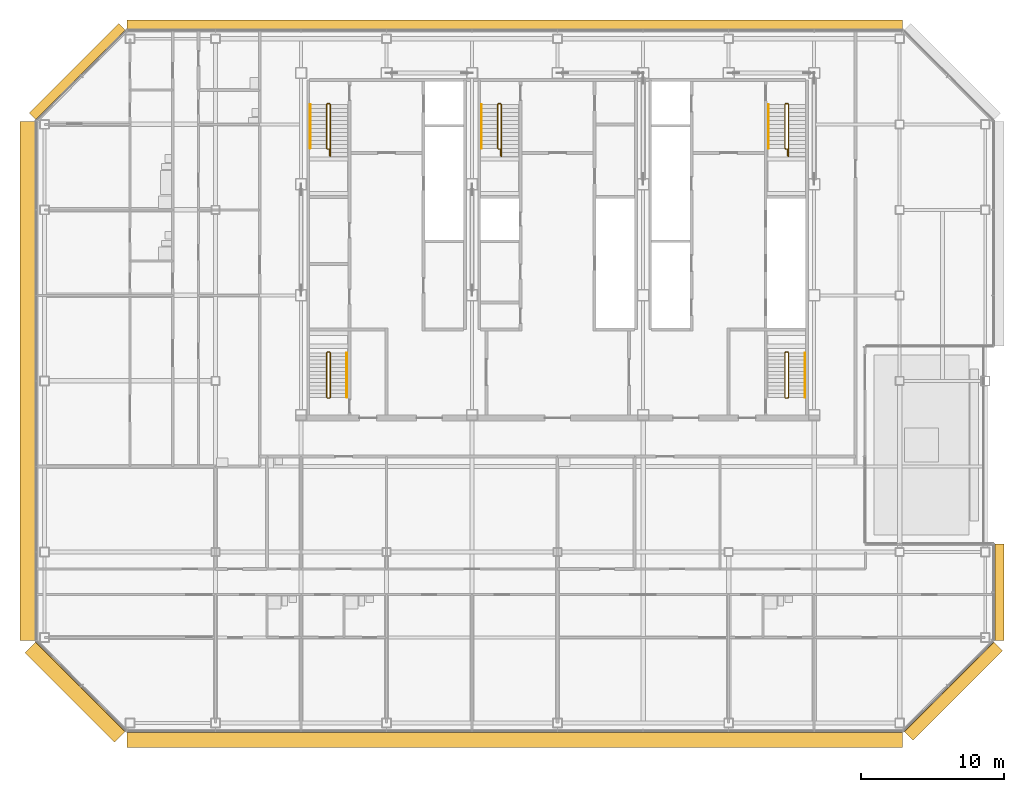
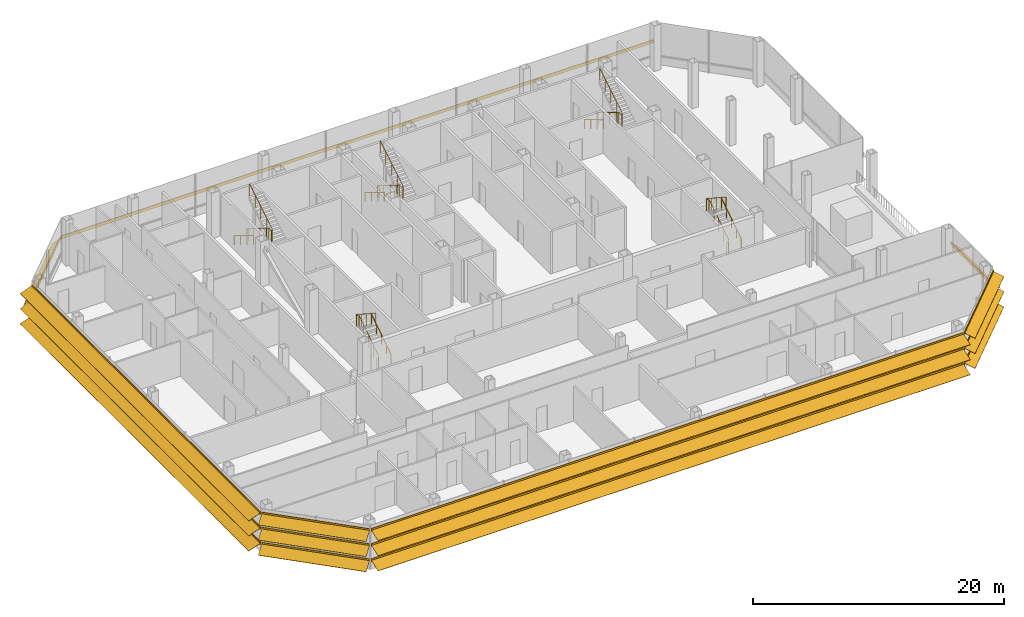
# One storey, part 27 of 30: 10 railings, 7 shading devices.
"""IFC4 building model written with IfcOpenShell, lengths in metres."""

from ifc_helpers import new_model, si_unit, direction, frame, origin, origin_2d, place, context, subcontext, project, spatial, polyline, circle, outline, composite_profile, extrude, material, type_object, element, save


model = new_model("IFC4")

# Units and contexts
model_context = context("Model", 3, precision=1e-05, world=origin(), true_north=direction((0.0, 1.0)))
body_context = subcontext(model_context, "Body", "Model", "MODEL_VIEW")
ifc_project = project(units=[si_unit("LENGTHUNIT", "METRE"), si_unit("AREAUNIT", "SQUARE_METRE"), si_unit("VOLUMEUNIT", "CUBIC_METRE"), si_unit("PLANEANGLEUNIT", "RADIAN"), si_unit("MASSUNIT", "GRAM", prefix="KILO")], contexts=[model_context])

# Site, building, storey
site_placement = place(None, origin())
site = spatial("IfcSite", under=ifc_project, at=site_placement, CompositionType="ELEMENT")
building_placement = place(site_placement, origin())
building = spatial("IfcBuilding", under=site, at=building_placement, Name="Sorahane Residences", CompositionType="ELEMENT")
storey_placement = place(building_placement, frame((0.0, 0.0, 229.800048828125)))
storey = spatial("IfcBuildingStorey", under=building, at=storey_placement, Name="L54", CompositionType="ELEMENT", Elevation=229.800048828125)

# Shading devices
ifc_material_1 = material(Name="Terracotta anodised aluminium", Category="masonry")
shading_device_type_1 = type_object("IfcShadingDeviceType", Name="Louvre sunshade blade E terracotta aluminium 700", PredefinedType="JALOUSIE", material=ifc_material_1)
shading_device_1_placement = place(storey_placement, frame((54.60009765625, 5.801513671875, 2.199951171875), z_axis=(0.0, 1.0, 0.0), x_axis=(-1.0, 0.0, 0.0)))
element("IfcShadingDevice", 1, at=shading_device_1_placement, inside=storey, type_object=shading_device_type_1, Name="Louvre sunshade blade bank E L54 E1", PredefinedType="JALOUSIE", context=body_context, shape_type="SweptSolid", body=[
    extrude(outline(polyline([(-0.719970703125, -0.49365234375), (-0.719970703125, -0.523681640625), (-0.080078125, -0.05859375), (-0.080078125, -0.14990234375), (-0.02001953125, -0.14990234375), (-0.02001953125, -0.014892578125), (-0.02001953125, 0.014892578125), (-0.02001953125, 0.14990234375), (-0.080078125, 0.14990234375), (-0.080078125, -0.028564453125), (-0.719970703125, -0.49365234375)])), origin(), (0.0, 0.0, 1.0), 6.74853515625),
])
ifc_material_2 = material(Name="Terracotta anodised aluminium", Category="masonry")
shading_device_type_2 = type_object("IfcShadingDeviceType", Name="Louvre sunshade blade N terracotta aluminium 700", PredefinedType="JALOUSIE", material=ifc_material_2)
shading_device_2_placement = place(storey_placement, frame((48.198486328125, 48.60009765625, 2.199951171875), z_axis=(-1.0, 0.0, 0.0), x_axis=(0.0, -1.0, 0.0)))
element("IfcShadingDevice", 2, at=shading_device_2_placement, inside=storey, type_object=shading_device_type_2, Name="Louvre sunshade blade bank N L54 N2", PredefinedType="JALOUSIE", context=body_context, shape_type="SweptSolid", body=[
    extrude(outline(polyline([(-0.719970703125, -0.660888671875), (-0.719970703125, -0.69091796875), (-0.080078125, -0.072998046875), (-0.080078125, -0.14990234375), (-0.02001953125, -0.14990234375), (-0.02001953125, -0.014892578125), (-0.02001953125, 0.014892578125), (-0.02001953125, 0.14990234375), (-0.080078125, 0.14990234375), (-0.080078125, -0.04296875), (-0.719970703125, -0.660888671875)])), origin(), (0.0, 0.0, 1.0), 54.39697265625),
])
ifc_material_3 = material(Name="Terracotta anodised aluminium", Category="masonry")
shading_device_type_3 = type_object("IfcShadingDeviceType", Name="Louvre sunshade blade NW terracotta aluminium 700", PredefinedType="JALOUSIE", material=ifc_material_3)
shading_device_3_placement = place(storey_placement, frame((-6.283935546875, 48.564697265625, 2.199951171875), z_axis=(-0.707106781187, -0.707106781187, 0.0), x_axis=(0.707106781187, -0.707106781187, 0.0)))
element("IfcShadingDevice", 3, at=shading_device_3_placement, inside=storey, type_object=shading_device_type_3, Name="Louvre sunshade blade bank NW L54 NW1", PredefinedType="JALOUSIE", context=body_context, shape_type="SweptSolid", body=[
    extrude(outline(polyline([(-0.719970703125, -0.660888671875), (-0.719970703125, -0.69091796875), (-0.080078125, -0.072998046875), (-0.080078125, -0.14990234375), (-0.02001953125, -0.14990234375), (-0.02001953125, -0.014892578125), (-0.02001953125, 0.014892578125), (-0.02001953125, 0.14990234375), (-0.080078125, 0.14990234375), (-0.080078125, -0.04296875), (-0.719970703125, -0.660888671875)])), origin(), (0.0, 0.0, 1.0), 8.88232421875),
])
ifc_material_4 = material(Name="Terracotta anodised aluminium", Category="masonry")
shading_device_type_4 = type_object("IfcShadingDeviceType", Name="Louvre sunshade blade S terracotta aluminium 1100", PredefinedType="JALOUSIE", material=ifc_material_4)
shading_device_4_placement = place(storey_placement, frame((-6.198486328125, -0.60009765625, 0.7333984375), z_axis=(1.0, 0.0, 0.0), x_axis=(0.0, 1.0, 0.0)))
element("IfcShadingDevice", 4, at=shading_device_4_placement, inside=storey, type_object=shading_device_type_4, Name="Louvre sunshade blade bank S L54 S2", PredefinedType="JALOUSIE", context=body_context, shape_type="SweptSolid", body=[
    extrude(composite_profile([outline(polyline([(-1.1201171875, -0.385498046875), (-1.1201171875, -0.415283203125), (-0.080078125, -0.036865234375), (-0.080078125, -0.14990234375), (-0.02001953125, -0.14990234375), (-0.02001953125, -0.014892578125), (-0.02001953125, 0.014892578125), (-0.02001953125, 0.14990234375), (-0.080078125, 0.14990234375), (-0.080078125, -0.0068359375), (-1.1201171875, -0.385498046875)])), outline(polyline([(-1.1201171875, 1.081298828125), (-1.1201171875, 1.05126953125), (-0.080078125, 1.429931640625), (-0.080078125, 1.316650390625), (-0.02001953125, 1.316650390625), (-0.02001953125, 1.45166015625), (-0.02001953125, 1.481689453125), (-0.02001953125, 1.61669921875), (-0.080078125, 1.61669921875), (-0.080078125, 1.4599609375), (-1.1201171875, 1.081298828125)])), outline(polyline([(-1.1201171875, 2.5478515625), (-1.1201171875, 2.517822265625), (-0.080078125, 2.896484375), (-0.080078125, 2.783203125), (-0.02001953125, 2.783203125), (-0.02001953125, 2.918212890625), (-0.02001953125, 2.9482421875), (-0.02001953125, 3.083251953125), (-0.080078125, 3.083251953125), (-0.080078125, 2.926513671875), (-1.1201171875, 2.5478515625)]))]), origin(), (0.0, 0.0, 1.0), 54.39697265625),
])
ifc_material_5 = material(Name="Terracotta anodised aluminium", Category="masonry")
shading_device_type_5 = type_object("IfcShadingDeviceType", Name="Louvre sunshade blade SE terracotta aluminium 900", PredefinedType="JALOUSIE", material=ifc_material_5)
shading_device_5_placement = place(storey_placement, frame((48.283935546875, -0.564697265625, 0.7333984375), z_axis=(0.707106781187, 0.707106781187, 0.0), x_axis=(-0.707106781187, 0.707106781187, 0.0)))
element("IfcShadingDevice", 5, at=shading_device_5_placement, inside=storey, type_object=shading_device_type_5, Name="Louvre sunshade blade bank SE L54 SE1", PredefinedType="JALOUSIE", context=body_context, shape_type="SweptSolid", body=[
    extrude(composite_profile([outline(polyline([(-0.919921875, -0.3486328125), (-0.919921875, -0.378662109375), (-0.080078125, -0.039306640625), (-0.080078125, -0.14990234375), (-0.02001953125, -0.14990234375), (-0.02001953125, -0.014892578125), (-0.02001953125, 0.014892578125), (-0.02001953125, 0.14990234375), (-0.080078125, 0.14990234375), (-0.080078125, -0.00927734375), (-0.919921875, -0.3486328125)])), outline(polyline([(-0.919921875, 1.1181640625), (-0.919921875, 1.088134765625), (-0.080078125, 1.427490234375), (-0.080078125, 1.316650390625), (-0.02001953125, 1.316650390625), (-0.02001953125, 1.45166015625), (-0.02001953125, 1.481689453125), (-0.02001953125, 1.61669921875), (-0.080078125, 1.61669921875), (-0.080078125, 1.45751953125), (-0.919921875, 1.1181640625)])), outline(polyline([(-0.919921875, 2.584716796875), (-0.919921875, 2.5546875), (-0.080078125, 2.89404296875), (-0.080078125, 2.783203125), (-0.02001953125, 2.783203125), (-0.02001953125, 2.918212890625), (-0.02001953125, 2.9482421875), (-0.02001953125, 3.083251953125), (-0.080078125, 3.083251953125), (-0.080078125, 2.924072265625), (-0.919921875, 2.584716796875)]))]), origin(), (0.0, 0.0, 1.0), 8.88232421875),
])
ifc_material_6 = material(Name="Terracotta anodised aluminium", Category="masonry")
shading_device_type_6 = type_object("IfcShadingDeviceType", Name="Louvre sunshade blade SW terracotta aluminium 1100", PredefinedType="JALOUSIE", material=ifc_material_6)
shading_device_6_placement = place(storey_placement, frame((-12.564697265625, 5.716064453125, 0.7333984375), z_axis=(0.707106781187, -0.707106781187, 0.0), x_axis=(0.707106781187, 0.707106781187, 0.0)))
element("IfcShadingDevice", 6, at=shading_device_6_placement, inside=storey, type_object=shading_device_type_6, Name="Louvre sunshade blade bank SW L54 SW1", PredefinedType="JALOUSIE", context=body_context, shape_type="SweptSolid", body=[
    extrude(composite_profile([outline(polyline([(-1.1201171875, -0.385498046875), (-1.1201171875, -0.415283203125), (-0.080078125, -0.036865234375), (-0.080078125, -0.14990234375), (-0.02001953125, -0.14990234375), (-0.02001953125, -0.014892578125), (-0.02001953125, 0.014892578125), (-0.02001953125, 0.14990234375), (-0.080078125, 0.14990234375), (-0.080078125, -0.0068359375), (-1.1201171875, -0.385498046875)])), outline(polyline([(-1.1201171875, 1.081298828125), (-1.1201171875, 1.05126953125), (-0.080078125, 1.429931640625), (-0.080078125, 1.316650390625), (-0.02001953125, 1.316650390625), (-0.02001953125, 1.45166015625), (-0.02001953125, 1.481689453125), (-0.02001953125, 1.61669921875), (-0.080078125, 1.61669921875), (-0.080078125, 1.4599609375), (-1.1201171875, 1.081298828125)])), outline(polyline([(-1.1201171875, 2.5478515625), (-1.1201171875, 2.517822265625), (-0.080078125, 2.896484375), (-0.080078125, 2.783203125), (-0.02001953125, 2.783203125), (-0.02001953125, 2.918212890625), (-0.02001953125, 2.9482421875), (-0.02001953125, 3.083251953125), (-0.080078125, 3.083251953125), (-0.080078125, 2.926513671875), (-1.1201171875, 2.5478515625)]))]), origin(), (0.0, 0.0, 1.0), 8.88232421875),
])
ifc_material_7 = material(Name="Terracotta anodised aluminium", Category="masonry")
shading_device_type_7 = type_object("IfcShadingDeviceType", Name="Louvre sunshade blade W terracotta aluminium 1100", PredefinedType="JALOUSIE", material=ifc_material_7)
shading_device_7_placement = place(storey_placement, frame((-12.60009765625, 42.198486328125, 0.7333984375), z_axis=(0.0, -1.0, 0.0), x_axis=(1.0, 0.0, 0.0)))
element("IfcShadingDevice", 7, at=shading_device_7_placement, inside=storey, type_object=shading_device_type_7, Name="Louvre sunshade blade bank W L54 W1", PredefinedType="JALOUSIE", context=body_context, shape_type="SweptSolid", body=[
    extrude(composite_profile([outline(polyline([(-1.1201171875, -0.385498046875), (-1.1201171875, -0.415283203125), (-0.080078125, -0.036865234375), (-0.080078125, -0.14990234375), (-0.02001953125, -0.14990234375), (-0.02001953125, -0.014892578125), (-0.02001953125, 0.014892578125), (-0.02001953125, 0.14990234375), (-0.080078125, 0.14990234375), (-0.080078125, -0.0068359375), (-1.1201171875, -0.385498046875)])), outline(polyline([(-1.1201171875, 1.081298828125), (-1.1201171875, 1.05126953125), (-0.080078125, 1.429931640625), (-0.080078125, 1.316650390625), (-0.02001953125, 1.316650390625), (-0.02001953125, 1.45166015625), (-0.02001953125, 1.481689453125), (-0.02001953125, 1.61669921875), (-0.080078125, 1.61669921875), (-0.080078125, 1.4599609375), (-1.1201171875, 1.081298828125)])), outline(polyline([(-1.1201171875, 2.5478515625), (-1.1201171875, 2.517822265625), (-0.080078125, 2.896484375), (-0.080078125, 2.783203125), (-0.02001953125, 2.783203125), (-0.02001953125, 2.918212890625), (-0.02001953125, 2.9482421875), (-0.02001953125, 3.083251953125), (-0.080078125, 3.083251953125), (-0.080078125, 2.926513671875), (-1.1201171875, 2.5478515625)]))]), origin(), (0.0, 0.0, 1.0), 36.39697265625),
])

# Railings
ifc_material_8 = material(Name="Steel Q355B", Category="steel")
railing_type_1 = type_object("IfcRailingType", Name="Stair guard 1200 Steel Q355B", PredefinedType="GUARDRAIL", material=ifc_material_8)
railing_1_placement = place(storey_placement, frame((8.0, 43.449951171875, 0.0)))
element("IfcRailing", 8, at=railing_1_placement, inside=storey, type_object=railing_type_1, Name="L54 S1 stair guard 1", PredefinedType="GUARDRAIL", context=body_context, shape_type="SweptSolid", body=[
    extrude(circle(Radius=0.02392578125, at=origin_2d()), frame((0.0, 0.0, 1.17578125), z_axis=(-1.0, 0.0, 0.0), x_axis=(0.0, -1.0, 0.0)), (0.0, 0.0, 1.0), 0.14990234375),
    extrude(circle(Radius=0.02392578125, at=origin_2d()), frame((-0.14990234375, 0.0, 1.17578125), z_axis=(-0.272897288611, -0.272897288611, 0.922525956132), x_axis=(0.707106781187, -0.707106781187, 0.0)), (0.0, 0.0, 1.0), 0.183349609375),
    extrude(circle(Radius=0.02392578125, at=origin_2d()), frame((-0.199951171875, -0.050048828125, 1.34521484375), z_axis=(0.0, -0.855812307579, 0.51728647208), x_axis=(1.0, 0.0, 0.0)), (0.0, 0.0, 1.0), 3.5986328125),
    extrude(circle(Radius=0.02392578125, at=origin_2d()), frame((-0.199951171875, -3.1298828125, 3.20654296875), z_axis=(0.707106781187, -0.707106781187, 0.0), x_axis=(0.707106781187, 0.707106781187, 0.0)), (0.0, 0.0, 1.0), 0.07080078125),
    extrude(circle(Radius=0.02392578125, at=origin_2d()), frame((-0.14990234375, -3.179931640625, 3.20654296875), z_axis=(1.0, 0.0, 0.0), x_axis=(0.0, 1.0, 0.0)), (0.0, 0.0, 1.0), 0.14990234375),
    extrude(circle(Radius=0.02392578125, at=origin_2d()), frame((0.0, -3.179931640625, 3.20654296875), z_axis=(0.0, -1.0, 0.0), x_axis=(1.0, 0.0, 0.0)), (0.0, 0.0, 1.0), 0.4599609375),
    extrude(circle(Radius=0.02392578125, at=origin_2d()), frame((0.0, -3.639892578125, 3.20654296875), z_axis=(0.272897288611, -0.272897288611, 0.922525956132), x_axis=(0.707106781187, 0.707106781187, 0.0)), (0.0, 0.0, 1.0), 0.183349609375),
    extrude(circle(Radius=0.02392578125, at=origin_2d()), frame((0.050048828125, -3.68994140625, 3.3759765625), z_axis=(0.0, 0.855827133697, 0.517261942568), x_axis=(-1.0, 0.0, 0.0)), (0.0, 0.0, 1.0), 4.253173828125),
    extrude(circle(Radius=0.02099609375, at=origin_2d()), origin(), (0.0, 0.0, 1.0), 1.15185546875),
    extrude(circle(Radius=0.02099609375, at=origin_2d()), frame((-0.14990234375, 0.0, 0.0)), (0.0, 0.0, 1.0), 1.15185546875),
    extrude(circle(Radius=0.02099609375, at=origin_2d()), frame((-0.199951171875, -0.050048828125, 0.169189453125)), (0.0, 0.0, 1.0), 1.15185546875),
    extrude(circle(Radius=0.02099609375, at=origin_2d()), frame((-0.199951171875, -1.07666015625, 0.789794921875)), (0.0, 0.0, 1.0), 1.15185546875),
    extrude(circle(Radius=0.02099609375, at=origin_2d()), frame((-0.199951171875, -2.103271484375, 1.41015625)), (0.0, 0.0, 1.0), 1.15185546875),
    extrude(circle(Radius=0.02099609375, at=origin_2d()), frame((-0.199951171875, -3.1298828125, 2.03076171875)), (0.0, 0.0, 1.0), 1.15185546875),
    extrude(circle(Radius=0.02099609375, at=origin_2d()), frame((-0.14990234375, -3.179931640625, 2.03076171875)), (0.0, 0.0, 1.0), 1.15185546875),
    extrude(circle(Radius=0.02099609375, at=origin_2d()), frame((0.0, -3.179931640625, 2.03076171875)), (0.0, 0.0, 1.0), 1.15185546875),
    extrude(circle(Radius=0.02099609375, at=origin_2d()), frame((0.0, -3.639892578125, 2.03076171875)), (0.0, 0.0, 1.0), 1.15185546875),
    extrude(circle(Radius=0.02099609375, at=origin_2d()), frame((0.050048828125, -3.68994140625, 2.199951171875)), (0.0, 0.0, 1.0), 1.15185546875),
    extrude(circle(Radius=0.02099609375, at=origin_2d()), frame((0.050048828125, -2.780029296875, 2.75)), (0.0, 0.0, 1.0), 1.15185546875),
    extrude(circle(Radius=0.02099609375, at=origin_2d()), frame((0.050048828125, -1.8701171875, 3.2998046875)), (0.0, 0.0, 1.0), 1.15185546875),
    extrude(circle(Radius=0.02099609375, at=origin_2d()), frame((0.050048828125, -0.9599609375, 3.849853515625)), (0.0, 0.0, 1.0), 1.15185546875),
    extrude(circle(Radius=0.02099609375, at=origin_2d()), frame((0.050048828125, -0.050048828125, 4.39990234375)), (0.0, 0.0, 1.0), 1.15185546875),
])
railing_2_placement = place(storey_placement, frame((40.14990234375, 43.449951171875, 0.0)))
element("IfcRailing", 9, at=railing_2_placement, inside=storey, type_object=railing_type_1, Name="L54 S2 stair guard 1", PredefinedType="GUARDRAIL", context=body_context, shape_type="SweptSolid", body=[
    extrude(circle(Radius=0.02392578125, at=origin_2d()), frame((0.0, 0.0, 1.17578125), z_axis=(-1.0, 0.0, 0.0), x_axis=(0.0, -1.0, 0.0)), (0.0, 0.0, 1.0), 0.14990234375),
    extrude(circle(Radius=0.02392578125, at=origin_2d()), frame((-0.14990234375, 0.0, 1.17578125), z_axis=(-0.272897288611, -0.272897288611, 0.922525956132), x_axis=(0.707106781187, -0.707106781187, 0.0)), (0.0, 0.0, 1.0), 0.183349609375),
    extrude(circle(Radius=0.02392578125, at=origin_2d()), frame((-0.199951171875, -0.050048828125, 1.34521484375), z_axis=(0.0, -0.855812307579, 0.51728647208), x_axis=(1.0, 0.0, 0.0)), (0.0, 0.0, 1.0), 3.5986328125),
    extrude(circle(Radius=0.02392578125, at=origin_2d()), frame((-0.199951171875, -3.1298828125, 3.20654296875), z_axis=(0.707106781187, -0.707106781187, 0.0), x_axis=(0.707106781187, 0.707106781187, 0.0)), (0.0, 0.0, 1.0), 0.07080078125),
    extrude(circle(Radius=0.02392578125, at=origin_2d()), frame((-0.14990234375, -3.179931640625, 3.20654296875), z_axis=(1.0, 0.0, 0.0), x_axis=(0.0, 1.0, 0.0)), (0.0, 0.0, 1.0), 0.14990234375),
    extrude(circle(Radius=0.02392578125, at=origin_2d()), frame((0.0, -3.179931640625, 3.20654296875), z_axis=(0.0, -1.0, 0.0), x_axis=(1.0, 0.0, 0.0)), (0.0, 0.0, 1.0), 0.4599609375),
    extrude(circle(Radius=0.02392578125, at=origin_2d()), frame((0.0, -3.639892578125, 3.20654296875), z_axis=(0.272897288611, -0.272897288611, 0.922525956132), x_axis=(0.707106781187, 0.707106781187, 0.0)), (0.0, 0.0, 1.0), 0.183349609375),
    extrude(circle(Radius=0.02392578125, at=origin_2d()), frame((0.050048828125, -3.68994140625, 3.3759765625), z_axis=(0.0, 0.855827133697, 0.517261942568), x_axis=(-1.0, 0.0, 0.0)), (0.0, 0.0, 1.0), 4.253173828125),
    extrude(circle(Radius=0.02099609375, at=origin_2d()), origin(), (0.0, 0.0, 1.0), 1.15185546875),
    extrude(circle(Radius=0.02099609375, at=origin_2d()), frame((-0.14990234375, 0.0, 0.0)), (0.0, 0.0, 1.0), 1.15185546875),
    extrude(circle(Radius=0.02099609375, at=origin_2d()), frame((-0.199951171875, -0.050048828125, 0.169189453125)), (0.0, 0.0, 1.0), 1.15185546875),
    extrude(circle(Radius=0.02099609375, at=origin_2d()), frame((-0.199951171875, -1.07666015625, 0.789794921875)), (0.0, 0.0, 1.0), 1.15185546875),
    extrude(circle(Radius=0.02099609375, at=origin_2d()), frame((-0.199951171875, -2.103271484375, 1.41015625)), (0.0, 0.0, 1.0), 1.15185546875),
    extrude(circle(Radius=0.02099609375, at=origin_2d()), frame((-0.199951171875, -3.1298828125, 2.03076171875)), (0.0, 0.0, 1.0), 1.15185546875),
    extrude(circle(Radius=0.02099609375, at=origin_2d()), frame((-0.14990234375, -3.179931640625, 2.03076171875)), (0.0, 0.0, 1.0), 1.15185546875),
    extrude(circle(Radius=0.02099609375, at=origin_2d()), frame((0.0, -3.179931640625, 2.03076171875)), (0.0, 0.0, 1.0), 1.15185546875),
    extrude(circle(Radius=0.02099609375, at=origin_2d()), frame((0.0, -3.639892578125, 2.03076171875)), (0.0, 0.0, 1.0), 1.15185546875),
    extrude(circle(Radius=0.02099609375, at=origin_2d()), frame((0.050048828125, -3.68994140625, 2.199951171875)), (0.0, 0.0, 1.0), 1.15185546875),
    extrude(circle(Radius=0.02099609375, at=origin_2d()), frame((0.050048828125, -2.780029296875, 2.75)), (0.0, 0.0, 1.0), 1.15185546875),
    extrude(circle(Radius=0.02099609375, at=origin_2d()), frame((0.050048828125, -1.8701171875, 3.2998046875)), (0.0, 0.0, 1.0), 1.15185546875),
    extrude(circle(Radius=0.02099609375, at=origin_2d()), frame((0.050048828125, -0.9599609375, 3.849853515625)), (0.0, 0.0, 1.0), 1.15185546875),
    extrude(circle(Radius=0.02099609375, at=origin_2d()), frame((0.050048828125, -0.050048828125, 4.39990234375)), (0.0, 0.0, 1.0), 1.15185546875),
])
railing_3_placement = place(storey_placement, frame((20.0, 43.449951171875, 0.0)))
element("IfcRailing", 10, at=railing_3_placement, inside=storey, type_object=railing_type_1, Name="L54 S3 stair guard 1", PredefinedType="GUARDRAIL", context=body_context, shape_type="SweptSolid", body=[
    extrude(circle(Radius=0.02392578125, at=origin_2d()), frame((0.0, 0.0, 1.17578125), z_axis=(-1.0, 0.0, 0.0), x_axis=(0.0, -1.0, 0.0)), (0.0, 0.0, 1.0), 0.14990234375),
    extrude(circle(Radius=0.02392578125, at=origin_2d()), frame((-0.14990234375, 0.0, 1.17578125), z_axis=(-0.272897288611, -0.272897288611, 0.922525956132), x_axis=(0.707106781187, -0.707106781187, 0.0)), (0.0, 0.0, 1.0), 0.183349609375),
    extrude(circle(Radius=0.02392578125, at=origin_2d()), frame((-0.199951171875, -0.050048828125, 1.34521484375), z_axis=(0.0, -0.855812307579, 0.51728647208), x_axis=(1.0, 0.0, 0.0)), (0.0, 0.0, 1.0), 3.5986328125),
    extrude(circle(Radius=0.02392578125, at=origin_2d()), frame((-0.199951171875, -3.1298828125, 3.20654296875), z_axis=(0.707106781187, -0.707106781187, 0.0), x_axis=(0.707106781187, 0.707106781187, 0.0)), (0.0, 0.0, 1.0), 0.07080078125),
    extrude(circle(Radius=0.02392578125, at=origin_2d()), frame((-0.14990234375, -3.179931640625, 3.20654296875), z_axis=(1.0, 0.0, 0.0), x_axis=(0.0, 1.0, 0.0)), (0.0, 0.0, 1.0), 0.14990234375),
    extrude(circle(Radius=0.02392578125, at=origin_2d()), frame((0.0, -3.179931640625, 3.20654296875), z_axis=(0.0, -1.0, 0.0), x_axis=(1.0, 0.0, 0.0)), (0.0, 0.0, 1.0), 0.4599609375),
    extrude(circle(Radius=0.02392578125, at=origin_2d()), frame((0.0, -3.639892578125, 3.20654296875), z_axis=(0.272897288611, -0.272897288611, 0.922525956132), x_axis=(0.707106781187, 0.707106781187, 0.0)), (0.0, 0.0, 1.0), 0.183349609375),
    extrude(circle(Radius=0.02392578125, at=origin_2d()), frame((0.050048828125, -3.68994140625, 3.3759765625), z_axis=(0.0, 0.855827133697, 0.517261942568), x_axis=(-1.0, 0.0, 0.0)), (0.0, 0.0, 1.0), 4.253173828125),
    extrude(circle(Radius=0.02099609375, at=origin_2d()), origin(), (0.0, 0.0, 1.0), 1.15185546875),
    extrude(circle(Radius=0.02099609375, at=origin_2d()), frame((-0.14990234375, 0.0, 0.0)), (0.0, 0.0, 1.0), 1.15185546875),
    extrude(circle(Radius=0.02099609375, at=origin_2d()), frame((-0.199951171875, -0.050048828125, 0.169189453125)), (0.0, 0.0, 1.0), 1.15185546875),
    extrude(circle(Radius=0.02099609375, at=origin_2d()), frame((-0.199951171875, -1.07666015625, 0.789794921875)), (0.0, 0.0, 1.0), 1.15185546875),
    extrude(circle(Radius=0.02099609375, at=origin_2d()), frame((-0.199951171875, -2.103271484375, 1.41015625)), (0.0, 0.0, 1.0), 1.15185546875),
    extrude(circle(Radius=0.02099609375, at=origin_2d()), frame((-0.199951171875, -3.1298828125, 2.03076171875)), (0.0, 0.0, 1.0), 1.15185546875),
    extrude(circle(Radius=0.02099609375, at=origin_2d()), frame((-0.14990234375, -3.179931640625, 2.03076171875)), (0.0, 0.0, 1.0), 1.15185546875),
    extrude(circle(Radius=0.02099609375, at=origin_2d()), frame((0.0, -3.179931640625, 2.03076171875)), (0.0, 0.0, 1.0), 1.15185546875),
    extrude(circle(Radius=0.02099609375, at=origin_2d()), frame((0.0, -3.639892578125, 2.03076171875)), (0.0, 0.0, 1.0), 1.15185546875),
    extrude(circle(Radius=0.02099609375, at=origin_2d()), frame((0.050048828125, -3.68994140625, 2.199951171875)), (0.0, 0.0, 1.0), 1.15185546875),
    extrude(circle(Radius=0.02099609375, at=origin_2d()), frame((0.050048828125, -2.780029296875, 2.75)), (0.0, 0.0, 1.0), 1.15185546875),
    extrude(circle(Radius=0.02099609375, at=origin_2d()), frame((0.050048828125, -1.8701171875, 3.2998046875)), (0.0, 0.0, 1.0), 1.15185546875),
    extrude(circle(Radius=0.02099609375, at=origin_2d()), frame((0.050048828125, -0.9599609375, 3.849853515625)), (0.0, 0.0, 1.0), 1.15185546875),
    extrude(circle(Radius=0.02099609375, at=origin_2d()), frame((0.050048828125, -0.050048828125, 4.39990234375)), (0.0, 0.0, 1.0), 1.15185546875),
])
railing_4_placement = place(storey_placement, frame((7.85009765625, 22.800048828125, 0.0)))
element("IfcRailing", 11, at=railing_4_placement, inside=storey, type_object=railing_type_1, Name="L54 S4 stair guard 1", PredefinedType="GUARDRAIL", context=body_context, shape_type="SweptSolid", body=[
    extrude(circle(Radius=0.02392578125, at=origin_2d()), frame((0.0, 0.0, 1.17578125), z_axis=(1.0, 0.0, 0.0), x_axis=(0.0, 1.0, 0.0)), (0.0, 0.0, 1.0), 0.14990234375),
    extrude(circle(Radius=0.02392578125, at=origin_2d()), frame((0.14990234375, 0.0, 1.17578125), z_axis=(0.272897288611, 0.272897288611, 0.922525956132), x_axis=(-0.707106781187, 0.707106781187, 0.0)), (0.0, 0.0, 1.0), 0.183349609375),
    extrude(circle(Radius=0.02392578125, at=origin_2d()), frame((0.199951171875, 0.050048828125, 1.34521484375), z_axis=(0.0, 0.838094317583, 0.54552535673), x_axis=(-1.0, 0.0, 0.0)), (0.0, 0.0, 1.0), 3.72265625),
    extrude(circle(Radius=0.02392578125, at=origin_2d()), frame((0.199951171875, 3.169921875, 3.3759765625), z_axis=(-0.707106781187, 0.707106781187, 0.0), x_axis=(-0.707106781187, -0.707106781187, 0.0)), (0.0, 0.0, 1.0), 0.07080078125),
    extrude(circle(Radius=0.02392578125, at=origin_2d()), frame((0.14990234375, 3.219970703125, 3.3759765625), z_axis=(-1.0, 0.0, 0.0), x_axis=(0.0, -1.0, 0.0)), (0.0, 0.0, 1.0), 0.14990234375),
    extrude(circle(Radius=0.02392578125, at=origin_2d()), frame((0.0, 3.219970703125, 3.3759765625), z_axis=(-0.272897288611, -0.272897288611, 0.922525956132), x_axis=(0.707106781187, -0.707106781187, 0.0)), (0.0, 0.0, 1.0), 0.183349609375),
    extrude(circle(Radius=0.02392578125, at=origin_2d()), frame((-0.050048828125, 3.169921875, 3.544921875), z_axis=(0.0, -0.838094317583, 0.54552535673), x_axis=(1.0, 0.0, 0.0)), (0.0, 0.0, 1.0), 3.72265625),
    extrude(circle(Radius=0.02099609375, at=origin_2d()), origin(), (0.0, 0.0, 1.0), 1.15185546875),
    extrude(circle(Radius=0.02099609375, at=origin_2d()), frame((0.14990234375, 0.0, 0.0)), (0.0, 0.0, 1.0), 1.15185546875),
    extrude(circle(Radius=0.02099609375, at=origin_2d()), frame((0.199951171875, 0.050048828125, 0.169189453125)), (0.0, 0.0, 1.0), 1.15185546875),
    extrude(circle(Radius=0.02099609375, at=origin_2d()), frame((0.199951171875, 0.830078125, 0.6767578125)), (0.0, 0.0, 1.0), 1.15185546875),
    extrude(circle(Radius=0.02099609375, at=origin_2d()), frame((0.199951171875, 1.60986328125, 1.1845703125)), (0.0, 0.0, 1.0), 1.15185546875),
    extrude(circle(Radius=0.02099609375, at=origin_2d()), frame((0.199951171875, 2.389892578125, 1.6923828125)), (0.0, 0.0, 1.0), 1.15185546875),
    extrude(circle(Radius=0.02099609375, at=origin_2d()), frame((0.199951171875, 3.169921875, 2.199951171875)), (0.0, 0.0, 1.0), 1.15185546875),
    extrude(circle(Radius=0.02099609375, at=origin_2d()), frame((0.14990234375, 3.219970703125, 2.199951171875)), (0.0, 0.0, 1.0), 1.15185546875),
    extrude(circle(Radius=0.02099609375, at=origin_2d()), frame((0.0, 3.219970703125, 2.199951171875)), (0.0, 0.0, 1.0), 1.15185546875),
    extrude(circle(Radius=0.02099609375, at=origin_2d()), frame((-0.050048828125, 3.169921875, 2.369140625)), (0.0, 0.0, 1.0), 1.15185546875),
    extrude(circle(Radius=0.02099609375, at=origin_2d()), frame((-0.050048828125, 2.389892578125, 2.876953125)), (0.0, 0.0, 1.0), 1.15185546875),
    extrude(circle(Radius=0.02099609375, at=origin_2d()), frame((-0.050048828125, 1.60986328125, 3.384521484375)), (0.0, 0.0, 1.0), 1.15185546875),
    extrude(circle(Radius=0.02099609375, at=origin_2d()), frame((-0.050048828125, 0.830078125, 3.89208984375)), (0.0, 0.0, 1.0), 1.15185546875),
    extrude(circle(Radius=0.02099609375, at=origin_2d()), frame((-0.050048828125, 0.050048828125, 4.39990234375)), (0.0, 0.0, 1.0), 1.15185546875),
])
railing_5_placement = place(storey_placement, frame((40.0, 22.800048828125, 0.0)))
element("IfcRailing", 12, at=railing_5_placement, inside=storey, type_object=railing_type_1, Name="L54 S5 stair guard 1", PredefinedType="GUARDRAIL", context=body_context, shape_type="SweptSolid", body=[
    extrude(circle(Radius=0.02392578125, at=origin_2d()), frame((0.0, 0.0, 1.17578125), z_axis=(1.0, 0.0, 0.0), x_axis=(0.0, 1.0, 0.0)), (0.0, 0.0, 1.0), 0.14990234375),
    extrude(circle(Radius=0.02392578125, at=origin_2d()), frame((0.14990234375, 0.0, 1.17578125), z_axis=(0.272897288611, 0.272897288611, 0.922525956132), x_axis=(-0.707106781187, 0.707106781187, 0.0)), (0.0, 0.0, 1.0), 0.183349609375),
    extrude(circle(Radius=0.02392578125, at=origin_2d()), frame((0.199951171875, 0.050048828125, 1.34521484375), z_axis=(0.0, 0.838094317583, 0.54552535673), x_axis=(-1.0, 0.0, 0.0)), (0.0, 0.0, 1.0), 3.72265625),
    extrude(circle(Radius=0.02392578125, at=origin_2d()), frame((0.199951171875, 3.169921875, 3.3759765625), z_axis=(-0.707106781187, 0.707106781187, 0.0), x_axis=(-0.707106781187, -0.707106781187, 0.0)), (0.0, 0.0, 1.0), 0.07080078125),
    extrude(circle(Radius=0.02392578125, at=origin_2d()), frame((0.14990234375, 3.219970703125, 3.3759765625), z_axis=(-1.0, 0.0, 0.0), x_axis=(0.0, -1.0, 0.0)), (0.0, 0.0, 1.0), 0.14990234375),
    extrude(circle(Radius=0.02392578125, at=origin_2d()), frame((0.0, 3.219970703125, 3.3759765625), z_axis=(-0.272897288611, -0.272897288611, 0.922525956132), x_axis=(0.707106781187, -0.707106781187, 0.0)), (0.0, 0.0, 1.0), 0.183349609375),
    extrude(circle(Radius=0.02392578125, at=origin_2d()), frame((-0.050048828125, 3.169921875, 3.544921875), z_axis=(0.0, -0.838094317583, 0.54552535673), x_axis=(1.0, 0.0, 0.0)), (0.0, 0.0, 1.0), 3.72265625),
    extrude(circle(Radius=0.02099609375, at=origin_2d()), origin(), (0.0, 0.0, 1.0), 1.15185546875),
    extrude(circle(Radius=0.02099609375, at=origin_2d()), frame((0.14990234375, 0.0, 0.0)), (0.0, 0.0, 1.0), 1.15185546875),
    extrude(circle(Radius=0.02099609375, at=origin_2d()), frame((0.199951171875, 0.050048828125, 0.169189453125)), (0.0, 0.0, 1.0), 1.15185546875),
    extrude(circle(Radius=0.02099609375, at=origin_2d()), frame((0.199951171875, 0.830078125, 0.6767578125)), (0.0, 0.0, 1.0), 1.15185546875),
    extrude(circle(Radius=0.02099609375, at=origin_2d()), frame((0.199951171875, 1.60986328125, 1.1845703125)), (0.0, 0.0, 1.0), 1.15185546875),
    extrude(circle(Radius=0.02099609375, at=origin_2d()), frame((0.199951171875, 2.389892578125, 1.6923828125)), (0.0, 0.0, 1.0), 1.15185546875),
    extrude(circle(Radius=0.02099609375, at=origin_2d()), frame((0.199951171875, 3.169921875, 2.199951171875)), (0.0, 0.0, 1.0), 1.15185546875),
    extrude(circle(Radius=0.02099609375, at=origin_2d()), frame((0.14990234375, 3.219970703125, 2.199951171875)), (0.0, 0.0, 1.0), 1.15185546875),
    extrude(circle(Radius=0.02099609375, at=origin_2d()), frame((0.0, 3.219970703125, 2.199951171875)), (0.0, 0.0, 1.0), 1.15185546875),
    extrude(circle(Radius=0.02099609375, at=origin_2d()), frame((-0.050048828125, 3.169921875, 2.369140625)), (0.0, 0.0, 1.0), 1.15185546875),
    extrude(circle(Radius=0.02099609375, at=origin_2d()), frame((-0.050048828125, 2.389892578125, 2.876953125)), (0.0, 0.0, 1.0), 1.15185546875),
    extrude(circle(Radius=0.02099609375, at=origin_2d()), frame((-0.050048828125, 1.60986328125, 3.384521484375)), (0.0, 0.0, 1.0), 1.15185546875),
    extrude(circle(Radius=0.02099609375, at=origin_2d()), frame((-0.050048828125, 0.830078125, 3.89208984375)), (0.0, 0.0, 1.0), 1.15185546875),
    extrude(circle(Radius=0.02099609375, at=origin_2d()), frame((-0.050048828125, 0.050048828125, 4.39990234375)), (0.0, 0.0, 1.0), 1.15185546875),
])
ifc_material_9 = material(Name="Steel Q355B", Category="steel")
railing_type_2 = type_object("IfcRailingType", Name="Stair handrail 900 Steel Q355B", PredefinedType="HANDRAIL", material=ifc_material_9)
for number, where, name in (
    (13, (6.64990234375, 43.39990234375, 0.169189453125), "L54 S1 stair handrail 1"),
    (14, (38.800048828125, 43.39990234375, 0.169189453125), "L54 S2 stair handrail 1"),
    (15, (18.64990234375, 43.39990234375, 0.169189453125), "L54 S3 stair handrail 1"),
):
    element("IfcRailing", number, at=place(storey_placement, frame(where)), inside=storey, type_object=railing_type_2, Name=name, PredefinedType="HANDRAIL", context=body_context, shape_type="SweptSolid", body=[
        extrude(circle(Radius=0.02392578125, at=origin_2d()), frame((0.0, 0.0, 0.8759765625), z_axis=(0.0, -0.855812307579, 0.51728647208), x_axis=(1.0, 0.0, 0.0)), (0.0, 0.0, 1.0), 3.5986328125),
        extrude(circle(Radius=0.02099609375, at=origin_2d()), origin(), (0.0, 0.0, 1.0), 0.851806640625),
        extrude(circle(Radius=0.02099609375, at=origin_2d()), frame((0.0, -1.026611328125, 0.62060546875)), (0.0, 0.0, 1.0), 0.851806640625),
        extrude(circle(Radius=0.02099609375, at=origin_2d()), frame((0.0, -2.05322265625, 1.240966796875)), (0.0, 0.0, 1.0), 0.851806640625),
        extrude(circle(Radius=0.02099609375, at=origin_2d()), frame((0.0, -3.079833984375, 1.861572265625)), (0.0, 0.0, 1.0), 0.851806640625),
    ])
for number, where, name in (
    (16, (9.199951171875, 22.85009765625, 0.169189453125), "L54 S4 stair handrail 1"),
    (17, (41.35009765625, 22.85009765625, 0.169189453125), "L54 S5 stair handrail 1"),
):
    element("IfcRailing", number, at=place(storey_placement, frame(where)), inside=storey, type_object=railing_type_2, Name=name, PredefinedType="HANDRAIL", context=body_context, shape_type="SweptSolid", body=[
        extrude(circle(Radius=0.02392578125, at=origin_2d()), frame((0.0, 0.0, 0.8759765625), z_axis=(0.0, 0.838094317583, 0.54552535673), x_axis=(-1.0, 0.0, 0.0)), (0.0, 0.0, 1.0), 3.72265625),
        extrude(circle(Radius=0.02099609375, at=origin_2d()), origin(), (0.0, 0.0, 1.0), 0.851806640625),
        extrude(circle(Radius=0.02099609375, at=origin_2d()), frame((0.0, 0.780029296875, 0.5078125)), (0.0, 0.0, 1.0), 0.851806640625),
        extrude(circle(Radius=0.02099609375, at=origin_2d()), frame((0.0, 1.56005859375, 1.015380859375)), (0.0, 0.0, 1.0), 0.851806640625),
        extrude(circle(Radius=0.02099609375, at=origin_2d()), frame((0.0, 2.33984375, 1.52294921875)), (0.0, 0.0, 1.0), 0.851806640625),
        extrude(circle(Radius=0.02099609375, at=origin_2d()), frame((0.0, 3.119873046875, 2.03076171875)), (0.0, 0.0, 1.0), 0.851806640625),
    ])

save(model, "model.ifc")
